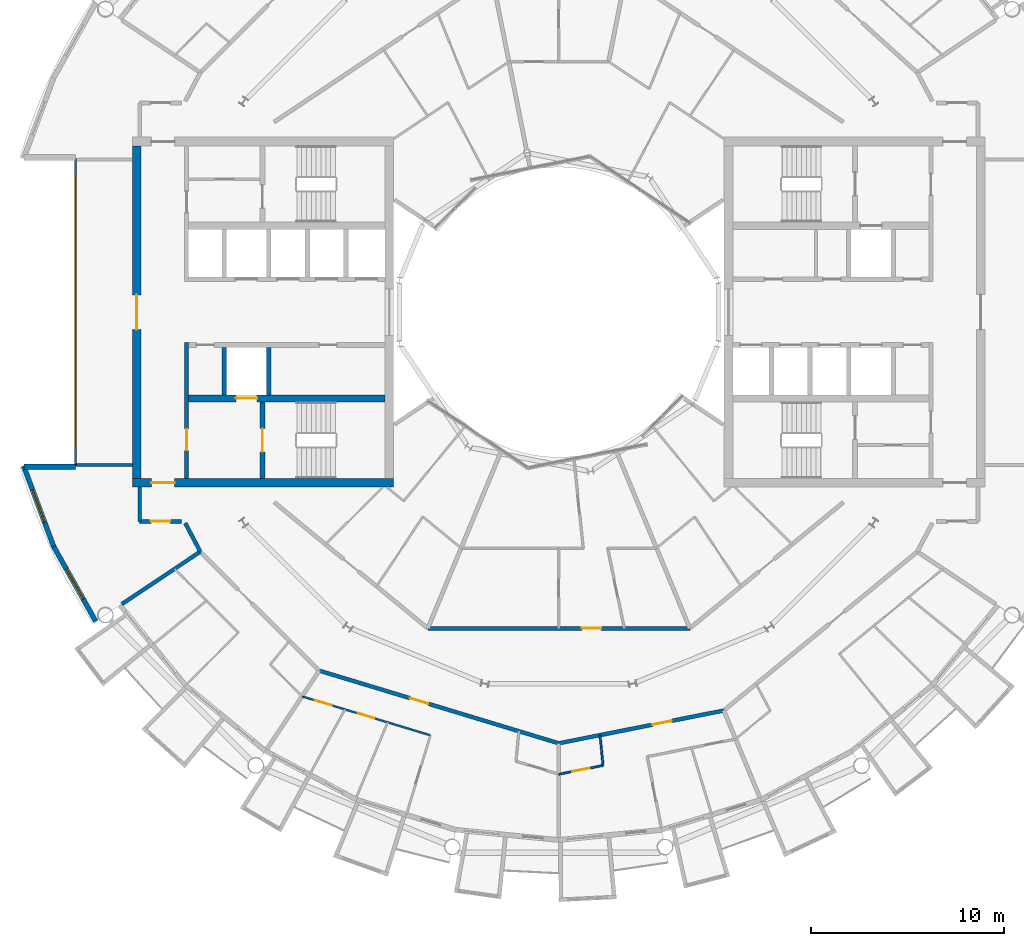
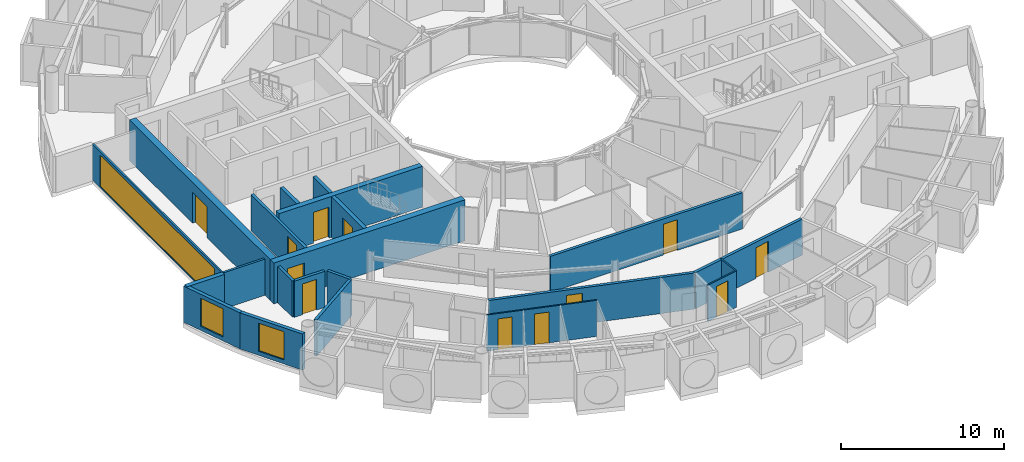
# One storey, part 16 of 27: 22 walls, 12 doors, 3 windows, 15 openings.
"""IFC4 building model written with IfcOpenShell, lengths in metres."""

from ifc_helpers import new_model, si_unit, direction, frame, frame_2d, origin, place, context, subcontext, project, spatial, rectangle, extrude, material, layer, layer_set, type_object, element, fill, save


model = new_model("IFC4")

# Units and contexts
model_context = context("Model", 3, precision=1e-05, world=origin(), true_north=direction((0.0, 1.0)))
body_context = subcontext(model_context, "Body", "Model", "MODEL_VIEW")
ifc_project = project(units=[si_unit("LENGTHUNIT", "METRE"), si_unit("AREAUNIT", "SQUARE_METRE"), si_unit("VOLUMEUNIT", "CUBIC_METRE"), si_unit("PLANEANGLEUNIT", "RADIAN"), si_unit("MASSUNIT", "GRAM", prefix="KILO")], contexts=[model_context])

# Site, building, storey
site_placement = place(None, origin())
site = spatial("IfcSite", under=ifc_project, at=site_placement, CompositionType="ELEMENT")
building_placement = place(site_placement, origin())
building = spatial("IfcBuilding", under=site, at=building_placement, Name="Maasbend Ring Residences", CompositionType="ELEMENT")
storey_placement = place(building_placement, frame((0.0, 0.0, 199.35009765625)))
storey = spatial("IfcBuildingStorey", under=building, at=storey_placement, Name="L57", CompositionType="ELEMENT", Elevation=199.35009765625)

# Wall, opening, door
ifc_material_1 = material(Name="Concrete C50/60", Category="concrete")
ifc_layer_1 = layer(ifc_material_1, 0.25)
ifc_layer_set_1 = layer_set([ifc_layer_1], Name="Concrete C50/60")
wall_type_1 = type_object("IfcWallType", Name="CORE WALL 250 C50/60", PredefinedType="SHEAR", material=ifc_layer_set_1)
wall_1_placement = place(storey_placement, frame((-15.324951171875, -4.64990234375, 0.0), z_axis=(0.0, 0.0, 1.0), x_axis=(0.0, -1.0, 0.0)))
wall_1 = element("IfcWall", 1, at=wall_1_placement, inside=storey, type_object=wall_type_1, Name="L57 core W wall STEN", PredefinedType="SHEAR", context=body_context, shape_type="SweptSolid", body=[
    extrude(rectangle(XDim=3.9501953125, YDim=0.25, at=frame_2d((1.97509765625, 0.0))), origin(), (0.0, 0.0, 1.0), 3.0498046875),
])
opening_1_placement = place(wall_1_placement, frame((1.375, 0.0, 0.0)))
opening_1 = element("IfcOpeningElement", 2, at=opening_1_placement, cuts=wall_1, Name="Opening D-W5709", PredefinedType="OPENING", context=body_context, shape_type="SweptSolid", body=[
    extrude(rectangle(XDim=1.199951171875, YDim=2.300048828125, at=frame_2d((0.60009765625, 1.14990234375))), frame((0.0, 0.135009765625, 0.0), z_axis=(0.0, -1.0, 0.0), x_axis=(1.0, 0.0, 0.0)), (0.0, 0.0, 1.0), 0.27001953125),
])
ifc_material_2 = material(Name="Steel, powder coated", Category="steel")
door_type_1 = type_object("IfcDoorType", Name="STAIR DOOR 1200 X 2300 FD60", OperationType="NOTDEFINED", PredefinedType="DOOR", material=ifc_material_2)
door_1_placement = place(opening_1_placement, origin())
door_1 = element("IfcDoor", 3, at=door_1_placement, inside=storey, type_object=door_type_1, Name="Stair door ST-W L57", OperationType="SINGLE_SWING_LEFT", OverallHeight=2.300048828125, OverallWidth=1.199951171875, PredefinedType="DOOR", context=body_context, shape_type="SweptSolid", body=[
    extrude(rectangle(XDim=1.199951171875, YDim=2.300048828125, at=frame_2d((0.60009765625, 1.14990234375))), frame((0.0, 0.02490234375, 0.0), z_axis=(0.0, -1.0, 0.0), x_axis=(1.0, 0.0, 0.0)), (0.0, 0.0, 1.0), 0.050048828125),
])
fill(opening_1, door_1)

ifc_material_3 = material(Name="Concrete C50/60", Category="concrete")
ifc_layer_2 = layer(ifc_material_3, 0.375)
ifc_layer_set_2 = layer_set([ifc_layer_2], Name="Concrete C50/60")
wall_type_2 = type_object("IfcWallType", Name="CORE WALL 375 C50/60", PredefinedType="SHEAR", material=ifc_layer_set_2)
wall_2_placement = place(storey_placement, frame((-9.0, -4.46240234375, 0.0), z_axis=(0.0, 0.0, 1.0), x_axis=(-1.0, 0.0, 0.0)))
wall_2 = element("IfcWall", 4, at=wall_2_placement, inside=storey, type_object=wall_type_2, Name="L57 core W wall BN", PredefinedType="SHEAR", context=body_context, shape_type="SweptSolid", body=[
    extrude(rectangle(XDim=10.14990234375, YDim=0.375, at=frame_2d((5.074951171875, 0.0))), origin(), (0.0, 0.0, 1.0), 3.0498046875),
])
opening_2_placement = place(wall_2_placement, frame((6.60009765625, 0.0, 0.0)))
opening_2 = element("IfcOpeningElement", 5, at=opening_2_placement, cuts=wall_2, Name="Opening LD-W5701", PredefinedType="OPENING", context=body_context, shape_type="SweptSolid", body=[
    extrude(rectangle(XDim=1.10009765625, YDim=2.300048828125, at=frame_2d((0.550048828125, 1.14990234375))), frame((0.0, 0.197509765625, 0.0), z_axis=(0.0, -1.0, 0.0), x_axis=(1.0, 0.0, 0.0)), (0.0, 0.0, 1.0), 0.39501953125),
])
ifc_material_4 = material(Name="Stainless steel 316", Category="steel")
door_type_2 = type_object("IfcDoorType", Name="LANDING DOOR 1100 X 2300 FD60", OperationType="DOUBLE_DOOR_SLIDING", PredefinedType="DOOR", material=ifc_material_4)
door_2_placement = place(opening_2_placement, origin())
door_2 = element("IfcDoor", 6, at=door_2_placement, inside=storey, type_object=door_type_2, Name="Landing door FF-W L57", OperationType="DOUBLE_DOOR_SLIDING", OverallHeight=2.300048828125, OverallWidth=1.10009765625, PredefinedType="DOOR", context=body_context, shape_type="SweptSolid", body=[
    extrude(rectangle(XDim=1.10009765625, YDim=2.300048828125, at=frame_2d((0.550048828125, 1.14990234375))), frame((0.0, 0.02490234375, 0.0), z_axis=(0.0, -1.0, 0.0), x_axis=(1.0, 0.0, 0.0)), (0.0, 0.0, 1.0), 0.050048828125),
])
fill(opening_2, door_2)

ifc_material_5 = material(Name="Concrete C50/60", Category="concrete")
ifc_layer_3 = layer(ifc_material_5, 0.449951171875)
ifc_layer_set_3 = layer_set([ifc_layer_3], Name="Concrete C50/60")
wall_type_3 = type_object("IfcWallType", Name="CORE WALL 450 C50/60", PredefinedType="SHEAR", material=ifc_layer_set_3)
wall_3_placement = place(storey_placement, frame((-22.050048828125, -8.824951171875, 0.0), z_axis=(0.0, 0.0, 1.0), x_axis=(1.0, 0.0, 0.0)))
wall_3 = element("IfcWall", 7, at=wall_3_placement, inside=storey, type_object=wall_type_3, Name="L57 core W wall PN", PredefinedType="SHEAR", context=body_context, shape_type="SweptSolid", body=[
    extrude(rectangle(XDim=13.5, YDim=0.449951171875, at=frame_2d((6.75, 0.0))), origin(), (0.0, 0.0, 1.0), 3.0498046875),
])
opening_3_placement = place(wall_3_placement, frame((0.97509765625, 0.0, 0.0)))
opening_3 = element("IfcOpeningElement", 8, at=opening_3_placement, cuts=wall_3, Name="Opening D-W5713", PredefinedType="OPENING", context=body_context, shape_type="SweptSolid", body=[
    extrude(rectangle(XDim=1.199951171875, YDim=2.300048828125, at=frame_2d((0.60009765625, 1.14990234375))), frame((0.0, 0.23486328125, 0.0), z_axis=(0.0, -1.0, 0.0), x_axis=(1.0, 0.0, 0.0)), (0.0, 0.0, 1.0), 0.469970703125),
])
ifc_material_6 = material(Name="Steel, powder coated", Category="steel")
door_type_3 = type_object("IfcDoorType", Name="CORRIDOR DOOR 1200 X 2300 FD30S", OperationType="NOTDEFINED", PredefinedType="DOOR", material=ifc_material_6)
door_3_placement = place(opening_3_placement, origin())
door_3 = element("IfcDoor", 9, at=door_3_placement, inside=storey, type_object=door_type_3, Name="Corridor door L57", OperationType="SINGLE_SWING_RIGHT", OverallHeight=2.300048828125, OverallWidth=1.199951171875, PredefinedType="DOOR", context=body_context, shape_type="SweptSolid", body=[
    extrude(rectangle(XDim=1.199951171875, YDim=2.300048828125, at=frame_2d((0.60009765625, 1.14990234375))), frame((0.0, 0.02490234375, 0.0), z_axis=(0.0, -1.0, 0.0), x_axis=(1.0, 0.0, 0.0)), (0.0, 0.0, 1.0), 0.050048828125),
])
fill(opening_3, door_3)

wall_4_placement = place(storey_placement, frame((-21.824951171875, -8.60009765625, 0.0), z_axis=(0.0, 0.0, 1.0), x_axis=(0.0, 1.0, 0.0)))
wall_4 = element("IfcWall", 10, at=wall_4_placement, inside=storey, type_object=wall_type_3, Name="L57 core W wall POUT", PredefinedType="SHEAR", context=body_context, shape_type="SweptSolid", body=[
    extrude(rectangle(XDim=17.2001953125, YDim=0.449951171875, at=frame_2d((8.60009765625, 0.0))), origin(), (0.0, 0.0, 1.0), 3.0498046875),
])
opening_4_placement = place(wall_4_placement, frame((7.699951171875, 0.0, 0.0)))
opening_4 = element("IfcOpeningElement", 11, at=opening_4_placement, cuts=wall_4, Name="Opening D-W5715", PredefinedType="OPENING", context=body_context, shape_type="SweptSolid", body=[
    extrude(rectangle(XDim=1.800048828125, YDim=2.300048828125, at=frame_2d((0.89990234375, 1.14990234375))), frame((0.0, 0.23486328125, 0.0), z_axis=(0.0, -1.0, 0.0), x_axis=(1.0, 0.0, 0.0)), (0.0, 0.0, 1.0), 0.469970703125),
])
ifc_material_7 = material(Name="Aluminium frame, clear glass", Category="aluminium")
door_type_4 = type_object("IfcDoorType", Name="ENTRANCE DOOR 1800 X 2300 FD60", OperationType="NOTDEFINED", PredefinedType="DOOR", material=ifc_material_7)
door_4_placement = place(opening_4_placement, origin())
door_4 = element("IfcDoor", 12, at=door_4_placement, inside=storey, type_object=door_type_4, Name="Lobby glazed door L57", OperationType="SINGLE_SWING_LEFT", OverallHeight=2.300048828125, OverallWidth=1.800048828125, PredefinedType="DOOR", context=body_context, shape_type="SweptSolid", body=[
    extrude(rectangle(XDim=1.800048828125, YDim=2.300048828125, at=frame_2d((0.89990234375, 1.14990234375))), frame((0.0, 0.02490234375, 0.0), z_axis=(0.0, -1.0, 0.0), x_axis=(1.0, 0.0, 0.0)), (0.0, 0.0, 1.0), 0.050048828125),
])
fill(opening_4, door_4)

# Wall
ifc_material_8 = material(Name="Concrete C30/37", Category="concrete")
ifc_layer_4 = layer(ifc_material_8, 0.199951171875)
ifc_layer_set_4 = layer_set([ifc_layer_4], Name="Concrete C30/37")
wall_type_4 = type_object("IfcWallType", Name="CORRIDOR WALL 200 CONCRETE", PredefinedType="PARTITIONING", material=ifc_layer_set_4)
wall_5_placement = place(storey_placement, frame((-19.31689453125, -10.9150390625, 0.0), z_axis=(0.0, 0.0, 1.0), x_axis=(0.465359652486, -0.885121683068, 0.0)))
element("IfcWall", 13, at=wall_5_placement, inside=storey, type_object=wall_type_4, Name="U-L57-w009", PredefinedType="PARTITIONING", context=body_context, shape_type="SweptSolid", body=[
    extrude(rectangle(XDim=1.665283203125, YDim=0.199951171875, at=frame_2d((0.83251953125, 0.0))), origin(), (0.0, 0.0, 1.0), 2.699951171875),
])

# Wall, opening, door
wall_6_placement = place(storey_placement, frame((0.0, -22.300048828125, 0.0), z_axis=(0.0, 0.0, 1.0), x_axis=(0.980813117615, 0.194950322682, 0.0)))
wall_6 = element("IfcWall", 14, at=wall_6_placement, inside=storey, type_object=wall_type_4, Name="U-L57-w012", PredefinedType="PARTITIONING", context=body_context, shape_type="SweptSolid", body=[
    extrude(rectangle(XDim=8.699951171875, YDim=0.199951171875, at=frame_2d((4.35009765625, 0.0))), origin(), (0.0, 0.0, 1.0), 2.699951171875),
])
opening_5_placement = place(wall_6_placement, frame((4.93798828125, 0.0, 0.0)))
opening_5 = element("IfcOpeningElement", 15, at=opening_5_placement, cuts=wall_6, Name="Opening D-5740", PredefinedType="OPENING", context=body_context, shape_type="SweptSolid", body=[
    extrude(rectangle(XDim=1.0, YDim=2.300048828125, at=frame_2d((0.5, 1.14990234375))), frame((0.0, 0.10986328125, 0.0), z_axis=(0.0, -1.0, 0.0), x_axis=(1.0, 0.0, 0.0)), (0.0, 0.0, 1.0), 0.219970703125),
])
ifc_material_9 = material(Name="Timber, fire-rated, painted", Category="wood")
door_type_5 = type_object("IfcDoorType", Name="FLAT ENTRANCE DOOR 1000 X 2300 FIRE-RATED", OperationType="NOTDEFINED", PredefinedType="DOOR", material=ifc_material_9)
door_5_placement = place(opening_5_placement, origin())
door_5 = element("IfcDoor", 16, at=door_5_placement, inside=storey, type_object=door_type_5, Name="D-5740", OperationType="SINGLE_SWING_RIGHT", OverallHeight=2.300048828125, OverallWidth=1.0, PredefinedType="DOOR", context=body_context, shape_type="SweptSolid", body=[
    extrude(rectangle(XDim=1.0, YDim=2.300048828125, at=frame_2d((0.5, 1.14990234375))), frame((0.0, 0.02490234375, 0.0), z_axis=(0.0, -1.0, 0.0), x_axis=(1.0, 0.0, 0.0)), (0.0, 0.0, 1.0), 0.050048828125),
])
fill(opening_5, door_5)

wall_7_placement = place(storey_placement, frame((-12.388916015625, -18.5419921875, 0.0), z_axis=(0.0, 0.0, 1.0), x_axis=(0.956942051091, -0.290279022415, 0.0)))
wall_7 = element("IfcWall", 17, at=wall_7_placement, inside=storey, type_object=wall_type_4, Name="U-L57-w015", PredefinedType="PARTITIONING", context=body_context, shape_type="SweptSolid", body=[
    extrude(rectangle(XDim=12.9462890625, YDim=0.199951171875, at=frame_2d((6.47314453125, 0.0))), origin(), (0.0, 0.0, 1.0), 2.699951171875),
])
opening_6_placement = place(wall_7_placement, frame((4.89501953125, 0.0, 0.0)))
opening_6 = element("IfcOpeningElement", 18, at=opening_6_placement, cuts=wall_7, Name="Opening D-5735", PredefinedType="OPENING", context=body_context, shape_type="SweptSolid", body=[
    extrude(rectangle(XDim=1.0, YDim=2.300048828125, at=frame_2d((0.5, 1.14990234375))), frame((0.0, 0.10986328125, 0.0), z_axis=(0.0, -1.0, 0.0), x_axis=(1.0, 0.0, 0.0)), (0.0, 0.0, 1.0), 0.219970703125),
])
door_6_placement = place(opening_6_placement, origin())
door_6 = element("IfcDoor", 19, at=door_6_placement, inside=storey, type_object=door_type_5, Name="D-5735", OperationType="SINGLE_SWING_LEFT", OverallHeight=2.300048828125, OverallWidth=1.0, PredefinedType="DOOR", context=body_context, shape_type="SweptSolid", body=[
    extrude(rectangle(XDim=1.0, YDim=2.300048828125, at=frame_2d((0.5, 1.14990234375))), frame((0.0, 0.02490234375, 0.0), z_axis=(0.0, -1.0, 0.0), x_axis=(1.0, 0.0, 0.0)), (0.0, 0.0, 1.0), 0.050048828125),
])
fill(opening_6, door_6)

wall_8_placement = place(storey_placement, frame((-6.77294921875, -16.35302734375, 0.0), z_axis=(0.0, 0.0, 1.0), x_axis=(1.0, 0.0, 0.0)))
wall_8 = element("IfcWall", 20, at=wall_8_placement, inside=storey, type_object=wall_type_4, Name="U-L57-w019", PredefinedType="PARTITIONING", context=body_context, shape_type="SweptSolid", body=[
    extrude(rectangle(XDim=13.5458984375, YDim=0.199951171875, at=frame_2d((6.77294921875, 0.0))), origin(), (0.0, 0.0, 1.0), 2.699951171875),
])
opening_7_placement = place(wall_8_placement, frame((7.966064453125, 0.0, 0.0)))
opening_7 = element("IfcOpeningElement", 21, at=opening_7_placement, cuts=wall_8, Name="Opening D-5753", PredefinedType="OPENING", context=body_context, shape_type="SweptSolid", body=[
    extrude(rectangle(XDim=1.0, YDim=2.300048828125, at=frame_2d((0.5, 1.14990234375))), frame((0.0, 0.10986328125, 0.0), z_axis=(0.0, -1.0, 0.0), x_axis=(1.0, 0.0, 0.0)), (0.0, 0.0, 1.0), 0.219970703125),
])
door_7_placement = place(opening_7_placement, origin())
door_7 = element("IfcDoor", 22, at=door_7_placement, inside=storey, type_object=door_type_5, Name="D-5753", OperationType="SINGLE_SWING_RIGHT", OverallHeight=2.300048828125, OverallWidth=1.0, PredefinedType="DOOR", context=body_context, shape_type="SweptSolid", body=[
    extrude(rectangle(XDim=1.0, YDim=2.300048828125, at=frame_2d((0.5, 1.14990234375))), frame((0.0, 0.02490234375, 0.0), z_axis=(0.0, -1.0, 0.0), x_axis=(1.0, 0.0, 0.0)), (0.0, 0.0, 1.0), 0.050048828125),
])
fill(opening_7, door_7)

wall_9_placement = place(storey_placement, frame((-21.675048828125, -10.824951171875, 0.0), z_axis=(0.0, 0.0, 1.0), x_axis=(1.0, 0.0, 0.0)))
wall_9 = element("IfcWall", 23, at=wall_9_placement, inside=storey, type_object=wall_type_4, Name="U-L57-w026", PredefinedType="PARTITIONING", context=body_context, shape_type="SweptSolid", body=[
    extrude(rectangle(XDim=2.152099609375, YDim=0.199951171875, at=frame_2d((1.076171875, 0.0))), origin(), (0.0, 0.0, 1.0), 2.699951171875),
])
opening_8_placement = place(wall_9_placement, frame((0.575927734375, 0.0, 0.0)))
opening_8 = element("IfcOpeningElement", 24, at=opening_8_placement, cuts=wall_9, Name="Opening D-5761", PredefinedType="OPENING", context=body_context, shape_type="SweptSolid", body=[
    extrude(rectangle(XDim=1.0, YDim=2.300048828125, at=frame_2d((0.5, 1.14990234375))), frame((0.0, 0.10986328125, 0.0), z_axis=(0.0, -1.0, 0.0), x_axis=(1.0, 0.0, 0.0)), (0.0, 0.0, 1.0), 0.219970703125),
])
ifc_material_10 = material(Name="Timber, painted", Category="wood")
door_type_6 = type_object("IfcDoorType", Name="ROOM DOOR 1000 X 2300", OperationType="NOTDEFINED", PredefinedType="DOOR", material=ifc_material_10)
door_8_placement = place(opening_8_placement, origin())
door_8 = element("IfcDoor", 25, at=door_8_placement, inside=storey, type_object=door_type_6, Name="D-5761", OperationType="SINGLE_SWING_LEFT", OverallHeight=2.300048828125, OverallWidth=1.0, PredefinedType="DOOR", context=body_context, shape_type="SweptSolid", body=[
    extrude(rectangle(XDim=1.0, YDim=2.300048828125, at=frame_2d((0.5, 1.14990234375))), frame((0.0, 0.02490234375, 0.0), z_axis=(0.0, -1.0, 0.0), x_axis=(1.0, 0.0, 0.0)), (0.0, 0.0, 1.0), 0.050048828125),
])
fill(opening_8, door_8)

# Wall
wall_10_placement = place(storey_placement, frame((-21.675048828125, -10.824951171875, 0.0), z_axis=(0.0, 0.0, 1.0), x_axis=(0.0, 1.0, 0.0)))
element("IfcWall", 26, at=wall_10_placement, inside=storey, type_object=wall_type_4, Name="U-L57-w105", PredefinedType="PARTITIONING", context=body_context, shape_type="SweptSolid", body=[
    extrude(rectangle(XDim=1.77490234375, YDim=0.199951171875, at=frame_2d((0.887451171875, 0.0))), origin(), (0.0, 0.0, 1.0), 2.699951171875),
])

# Wall, opening, window
ifc_material_11 = material(Name="Aluminium clad insulated panel", Category="aluminium")
ifc_layer_5 = layer(ifc_material_11, 0.25)
ifc_layer_set_5 = layer_set([ifc_layer_5], Name="EW-HORN")
wall_type_5 = type_object("IfcWallType", Name="EW-HORN", PredefinedType="SOLIDWALL", material=ifc_layer_set_5)
wall_11_placement = place(storey_placement, frame((-27.681884765625, -7.945068359375, 0.0), z_axis=(0.0, 0.0, 1.0), x_axis=(0.349247811493, -0.937030397675, 0.0)))
wall_11 = element("IfcWall", 27, at=wall_11_placement, inside=storey, type_object=wall_type_5, Name="Horn wall 3.1", PredefinedType="SOLIDWALL", context=body_context, shape_type="SweptSolid", body=[
    extrude(rectangle(XDim=4.4521484375, YDim=0.25, at=frame_2d((2.22607421875, 0.0))), origin(), (0.0, 0.0, 1.0), 2.699951171875),
])
opening_9_placement = place(wall_11_placement, frame((1.32666015625, 0.0, 0.300048828125)))
opening_9 = element("IfcOpeningElement", 28, at=opening_9_placement, cuts=wall_11, Name="Opening W-BX", PredefinedType="OPENING", context=body_context, shape_type="SweptSolid", body=[
    extrude(rectangle(XDim=1.800048828125, YDim=2.10009765625, at=frame_2d((0.89990234375, 1.050048828125))), frame((0.0, 0.135009765625, 0.0), z_axis=(0.0, -1.0, 0.0), x_axis=(1.0, 0.0, 0.0)), (0.0, 0.0, 1.0), 0.27001953125),
])
ifc_material_12 = material(Name="Aluminium and clear glass", Category="aluminium")
window_type_1 = type_object("IfcWindowType", Name="W-BX", PartitioningType="DOUBLE_PANEL_VERTICAL", PredefinedType="WINDOW", material=ifc_material_12)
window_1_placement = place(opening_9_placement, origin())
window_1 = element("IfcWindow", 29, at=window_1_placement, inside=storey, type_object=window_type_1, Name="Horn window 3.1", OverallHeight=2.10009765625, OverallWidth=1.800048828125, PartitioningType="SINGLE_PANEL", PredefinedType="WINDOW", context=body_context, shape_type="SweptSolid", body=[
    extrude(rectangle(XDim=1.800048828125, YDim=2.10009765625, at=frame_2d((0.89990234375, 1.050048828125))), frame((0.0, 0.030029296875, 0.0), z_axis=(0.0, -1.0, 0.0), x_axis=(1.0, 0.0, 0.0)), (0.0, 0.0, 1.0), 0.06005859375),
])
fill(opening_9, window_1)

wall_12_placement = place(storey_placement, frame((-26.126953125, -12.116943359375, 0.0), z_axis=(0.0, 0.0, 1.0), x_axis=(0.489696356642, -0.871893042919, 0.0)))
wall_12 = element("IfcWall", 30, at=wall_12_placement, inside=storey, type_object=wall_type_5, Name="Horn wall 3.2", PredefinedType="SOLIDWALL", context=body_context, shape_type="SweptSolid", body=[
    extrude(rectangle(XDim=4.45361328125, YDim=0.25, at=frame_2d((2.226806640625, 0.0))), origin(), (0.0, 0.0, 1.0), 2.699951171875),
])
opening_10_placement = place(wall_12_placement, frame((1.32666015625, 0.0, 0.300048828125)))
opening_10 = element("IfcOpeningElement", 31, at=opening_10_placement, cuts=wall_12, Name="Opening W-BX", PredefinedType="OPENING", context=body_context, shape_type="SweptSolid", body=[
    extrude(rectangle(XDim=1.800048828125, YDim=2.10009765625, at=frame_2d((0.89990234375, 1.050048828125))), frame((0.0, 0.135009765625, 0.0), z_axis=(0.0, -1.0, 0.0), x_axis=(1.0, 0.0, 0.0)), (0.0, 0.0, 1.0), 0.27001953125),
])
window_2_placement = place(opening_10_placement, origin())
window_2 = element("IfcWindow", 32, at=window_2_placement, inside=storey, type_object=window_type_1, Name="Horn window 3.2", OverallHeight=2.10009765625, OverallWidth=1.800048828125, PartitioningType="SINGLE_PANEL", PredefinedType="WINDOW", context=body_context, shape_type="SweptSolid", body=[
    extrude(rectangle(XDim=1.800048828125, YDim=2.10009765625, at=frame_2d((0.89990234375, 1.050048828125))), frame((0.0, 0.030029296875, 0.0), z_axis=(0.0, -1.0, 0.0), x_axis=(1.0, 0.0, 0.0)), (0.0, 0.0, 1.0), 0.06005859375),
])
fill(opening_10, window_2)

# Wall
ifc_material_13 = material(Name="Aluminium clad insulated panel", Category="aluminium")
ifc_layer_6 = layer(ifc_material_13, 0.300048828125)
ifc_layer_set_6 = layer_set([ifc_layer_6], Name="EW-RET")
wall_type_6 = type_object("IfcWallType", Name="EW-RET", PredefinedType="SOLIDWALL", material=ifc_layer_set_6)
wall_13_placement = place(storey_placement, frame((-25.0, -8.0, 0.0), z_axis=(0.0, 0.0, 1.0), x_axis=(-1.0, 0.0, 0.0)))
element("IfcWall", 33, at=wall_13_placement, inside=storey, type_object=wall_type_6, Name="Notch return wall west south", PredefinedType="SOLIDWALL", context=body_context, shape_type="SweptSolid", body=[
    extrude(rectangle(XDim=2.6669921875, YDim=0.300048828125, at=frame_2d((1.33349609375, 0.0))), origin(), (0.0, 0.0, 1.0), 2.699951171875),
])

# Wall, opening, window
ifc_material_14 = material(Name="Aluminium frame and clear glass", Category="aluminium")
ifc_layer_7 = layer(ifc_material_14, 0.1201171875)
ifc_layer_set_7 = layer_set([ifc_layer_7], Name="GLAZED SCREEN WALL 120 EI 60")
wall_type_7 = type_object("IfcWallType", Name="GLAZED SCREEN WALL 120 EI 60", PredefinedType="PARTITIONING", material=ifc_layer_set_7)
wall_14_placement = place(storey_placement, frame((-25.0, 7.949951171875, 0.0), z_axis=(0.0, 0.0, 1.0), x_axis=(0.0, -1.0, 0.0)))
wall_14 = element("IfcWall", 34, at=wall_14_placement, inside=storey, type_object=wall_type_7, Name="L57 core W wall FACE", PredefinedType="PARTITIONING", context=body_context, shape_type="SweptSolid", body=[
    extrude(rectangle(XDim=15.89990234375, YDim=0.1201171875, at=frame_2d((7.949951171875, 0.0))), origin(), (0.0, 0.0, 1.0), 2.699951171875),
])
opening_11_placement = place(wall_14_placement, frame((0.949951171875, 0.0, 0.10009765625)))
opening_11 = element("IfcOpeningElement", 35, at=opening_11_placement, cuts=wall_14, Name="Opening W-W5702", PredefinedType="OPENING", context=body_context, shape_type="SweptSolid", body=[
    extrude(rectangle(XDim=14.0, YDim=2.35009765625, at=frame_2d((7.0, 1.175048828125))), frame((0.0, 0.070068359375, 0.0), z_axis=(0.0, -1.0, 0.0), x_axis=(1.0, 0.0, 0.0)), (0.0, 0.0, 1.0), 0.14013671875),
])
ifc_material_15 = material(Name="Aluminium frame and clear glass", Category="aluminium")
window_type_2 = type_object("IfcWindowType", Name="FIXED WINDOW 14000 X 2350", PartitioningType="SINGLE_PANEL", PredefinedType="WINDOW", material=ifc_material_15)
window_3_placement = place(opening_11_placement, origin())
window_3 = element("IfcWindow", 36, at=window_3_placement, inside=storey, type_object=window_type_2, Name="Lobby window L57", OverallHeight=2.35009765625, OverallWidth=14.0, PartitioningType="SINGLE_PANEL", PredefinedType="WINDOW", context=body_context, shape_type="SweptSolid", body=[
    extrude(rectangle(XDim=14.0, YDim=2.35009765625, at=frame_2d((7.0, 1.175048828125))), frame((0.0, 0.030029296875, 0.0), z_axis=(0.0, -1.0, 0.0), x_axis=(1.0, 0.0, 0.0)), (0.0, 0.0, 1.0), 0.06005859375),
])
fill(opening_11, window_3)

# Wall, opening, door
ifc_material_16 = material(Name="Gypsum board on steel studs", Category="steel")
ifc_layer_8 = layer(ifc_material_16, 0.10009765625)
ifc_layer_set_8 = layer_set([ifc_layer_8], Name="PARTITION 100 GYPSUM")
wall_type_8 = type_object("IfcWallType", Name="PARTITION 100 GYPSUM", PredefinedType="PARTITIONING", material=ifc_layer_set_8)
wall_15_placement = place(storey_placement, frame((0.0, -23.89990234375, 0.0), z_axis=(0.0, 0.0, 1.0), x_axis=(0.98079351414, 0.19504892366, 0.0)))
wall_15 = element("IfcWall", 37, at=wall_15_placement, inside=storey, type_object=wall_type_8, Name="U-L57-w003", PredefinedType="PARTITIONING", context=body_context, shape_type="SweptSolid", body=[
    extrude(rectangle(XDim=2.331787109375, YDim=0.10009765625, at=frame_2d((1.166015625, 0.0))), origin(), (0.0, 0.0, 1.0), 2.699951171875),
])
opening_12_placement = place(wall_15_placement, frame((0.716064453125, 0.0, 0.0)))
opening_12 = element("IfcOpeningElement", 38, at=opening_12_placement, cuts=wall_15, Name="Opening D-5741", PredefinedType="OPENING", context=body_context, shape_type="SweptSolid", body=[
    extrude(rectangle(XDim=0.89990234375, YDim=2.300048828125, at=frame_2d((0.449951171875, 1.14990234375))), frame((0.0, 0.06005859375, 0.0), z_axis=(0.0, -1.0, 0.0), x_axis=(1.0, 0.0, 0.0)), (0.0, 0.0, 1.0), 0.1201171875),
])
ifc_material_17 = material(Name="Timber, painted", Category="wood")
door_type_7 = type_object("IfcDoorType", Name="INTERNAL DOOR 900 X 2300", OperationType="NOTDEFINED", PredefinedType="DOOR", material=ifc_material_17)
door_9_placement = place(opening_12_placement, origin())
door_9 = element("IfcDoor", 39, at=door_9_placement, inside=storey, type_object=door_type_7, Name="D-5741", OperationType="SINGLE_SWING_LEFT", OverallHeight=2.300048828125, OverallWidth=0.89990234375, PredefinedType="DOOR", context=body_context, shape_type="SweptSolid", body=[
    extrude(rectangle(XDim=0.89990234375, YDim=2.300048828125, at=frame_2d((0.449951171875, 1.14990234375))), frame((0.0, 0.02490234375, 0.0), z_axis=(0.0, -1.0, 0.0), x_axis=(1.0, 0.0, 0.0)), (0.0, 0.0, 1.0), 0.050048828125),
])
fill(opening_12, door_9)

# Wall, openings, doors
wall_16_placement = place(storey_placement, frame((-13.279052734375, -19.8740234375, 0.0), z_axis=(0.0, 0.0, 1.0), x_axis=(0.956989789119, -0.290121601266, 0.0)))
wall_16 = element("IfcWall", 40, at=wall_16_placement, inside=storey, type_object=wall_type_8, Name="U-L57-w005", PredefinedType="PARTITIONING", context=body_context, shape_type="SweptSolid", body=[
    extrude(rectangle(XDim=6.941650390625, YDim=0.10009765625, at=frame_2d((3.470703125, 0.0))), origin(), (0.0, 0.0, 1.0), 2.699951171875),
])
opening_13_placement = place(wall_16_placement, frame((3.02197265625, 0.0, 0.0)))
opening_13 = element("IfcOpeningElement", 41, at=opening_13_placement, cuts=wall_16, Name="Opening D-5738", PredefinedType="OPENING", context=body_context, shape_type="SweptSolid", body=[
    extrude(rectangle(XDim=0.89990234375, YDim=2.300048828125, at=frame_2d((0.449951171875, 1.14990234375))), frame((0.0, 0.06005859375, 0.0), z_axis=(0.0, -1.0, 0.0), x_axis=(1.0, 0.0, 0.0)), (0.0, 0.0, 1.0), 0.1201171875),
])
opening_14_placement = place(wall_16_placement, frame((0.705078125, 0.0, 0.0)))
opening_14 = element("IfcOpeningElement", 42, at=opening_14_placement, cuts=wall_16, Name="Opening D-5739", PredefinedType="OPENING", context=body_context, shape_type="SweptSolid", body=[
    extrude(rectangle(XDim=0.89990234375, YDim=2.300048828125, at=frame_2d((0.449951171875, 1.14990234375))), frame((0.0, 0.06005859375, 0.0), z_axis=(0.0, -1.0, 0.0), x_axis=(1.0, 0.0, 0.0)), (0.0, 0.0, 1.0), 0.1201171875),
])
door_10_placement = place(opening_13_placement, origin())
door_10 = element("IfcDoor", 43, at=door_10_placement, inside=storey, type_object=door_type_7, Name="D-5738", OperationType="SINGLE_SWING_RIGHT", OverallHeight=2.300048828125, OverallWidth=0.89990234375, PredefinedType="DOOR", context=body_context, shape_type="SweptSolid", body=[
    extrude(rectangle(XDim=0.89990234375, YDim=2.300048828125, at=frame_2d((0.449951171875, 1.14990234375))), frame((0.0, 0.02490234375, 0.0), z_axis=(0.0, -1.0, 0.0), x_axis=(1.0, 0.0, 0.0)), (0.0, 0.0, 1.0), 0.050048828125),
])
fill(opening_13, door_10)
door_11_placement = place(opening_14_placement, origin())
door_11 = element("IfcDoor", 44, at=door_11_placement, inside=storey, type_object=door_type_7, Name="D-5739", OperationType="SINGLE_SWING_LEFT", OverallHeight=2.300048828125, OverallWidth=0.89990234375, PredefinedType="DOOR", context=body_context, shape_type="SweptSolid", body=[
    extrude(rectangle(XDim=0.89990234375, YDim=2.300048828125, at=frame_2d((0.449951171875, 1.14990234375))), frame((0.0, 0.02490234375, 0.0), z_axis=(0.0, -1.0, 0.0), x_axis=(1.0, 0.0, 0.0)), (0.0, 0.0, 1.0), 0.050048828125),
])
fill(opening_14, door_11)

# Walls
wall_17_placement = place(storey_placement, frame((2.133056640625, -21.8759765625, 0.0), z_axis=(0.0, 0.0, 1.0), x_axis=(0.097709761212, -0.995214952944, 0.0)))
element("IfcWall", 45, at=wall_17_placement, inside=storey, type_object=wall_type_8, Name="U-L57-w032", PredefinedType="PARTITIONING", context=body_context, shape_type="SweptSolid", body=[
    extrude(rectangle(XDim=1.57666015625, YDim=0.10009765625, at=frame_2d((0.788330078125, 0.0))), origin(), (0.0, 0.0, 1.0), 2.699951171875),
])
ifc_material_18 = material(Name="Gypsum board on steel studs", Category="steel")
ifc_layer_9 = layer(ifc_material_18, 0.14990234375)
ifc_layer_set_9 = layer_set([ifc_layer_9], Name="PARTITION 150 EI 60")
wall_type_9 = type_object("IfcWallType", Name="PARTITION 150 EI 60", PredefinedType="PARTITIONING", material=ifc_layer_set_9)
wall_18_placement = place(storey_placement, frame((-22.050048828125, -7.89990234375, 0.0), z_axis=(0.0, 0.0, 1.0), x_axis=(-1.0, 0.0, 0.0)))
element("IfcWall", 46, at=wall_18_placement, inside=storey, type_object=wall_type_9, Name="L57 core W wall CITN", PredefinedType="PARTITIONING", context=body_context, shape_type="SweptSolid", body=[
    extrude(rectangle(XDim=2.889892578125, YDim=0.14990234375, at=frame_2d((1.44482421875, 0.0))), origin(), (0.0, 0.0, 1.0), 2.699951171875),
])
ifc_material_19 = material(Name="Concrete C30/37", Category="concrete")
ifc_layer_10 = layer(ifc_material_19, 0.199951171875)
ifc_layer_set_10 = layer_set([ifc_layer_10], Name="Concrete C30/37")
wall_type_10 = type_object("IfcWallType", Name="PARTY WALL 200 CONCRETE", PredefinedType="PARTITIONING", material=ifc_layer_set_10)
wall_19_placement = place(storey_placement, frame((-22.594970703125, -15.097900390625, 0.0), z_axis=(0.0, 0.0, 1.0), x_axis=(0.831387096605, 0.55569370664, 0.0)))
element("IfcWall", 47, at=wall_19_placement, inside=storey, type_object=wall_type_10, Name="U-L57-w033", PredefinedType="PARTITIONING", context=body_context, shape_type="SweptSolid", body=[
    extrude(rectangle(XDim=4.875, YDim=0.199951171875, at=frame_2d((2.4375, 0.0))), origin(), (0.0, 0.0, 1.0), 2.699951171875),
])

# Wall, opening, door
ifc_material_20 = material(Name="Concrete C30/37", Category="concrete")
ifc_layer_11 = layer(ifc_material_20, 0.199951171875)
ifc_layer_set_11 = layer_set([ifc_layer_11], Name="Concrete C30/37")
wall_type_11 = type_object("IfcWallType", Name="SHAFT WALL 200 EI 120", PredefinedType="SOLIDWALL", material=ifc_layer_set_11)
wall_20_placement = place(storey_placement, frame((-19.25, -1.574951171875, 0.0), z_axis=(0.0, 0.0, 1.0), x_axis=(0.0, -1.0, 0.0)))
wall_20 = element("IfcWall", 48, at=wall_20_placement, inside=storey, type_object=wall_type_11, Name="L57 core W wall ENDN", PredefinedType="SOLIDWALL", context=body_context, shape_type="SweptSolid", body=[
    extrude(rectangle(XDim=7.025146484375, YDim=0.199951171875, at=frame_2d((3.5126953125, 0.0))), origin(), (0.0, 0.0, 1.0), 2.699951171875),
])
opening_15_placement = place(wall_20_placement, frame((4.47509765625, 0.0, 0.0)))
opening_15 = element("IfcOpeningElement", 49, at=opening_15_placement, cuts=wall_20, Name="Opening D-W5711", PredefinedType="OPENING", context=body_context, shape_type="SweptSolid", body=[
    extrude(rectangle(XDim=1.10009765625, YDim=2.300048828125, at=frame_2d((0.550048828125, 1.14990234375))), frame((0.0, 0.10986328125, 0.0), z_axis=(0.0, -1.0, 0.0), x_axis=(1.0, 0.0, 0.0)), (0.0, 0.0, 1.0), 0.219970703125),
])
ifc_material_21 = material(Name="Steel, powder coated", Category="steel")
door_type_8 = type_object("IfcDoorType", Name="LOBBY DOOR 1100 X 2300 FD60", OperationType="NOTDEFINED", PredefinedType="DOOR", material=ifc_material_21)
door_12_placement = place(opening_15_placement, origin())
door_12 = element("IfcDoor", 50, at=door_12_placement, inside=storey, type_object=door_type_8, Name="Lobby door L57", OperationType="SINGLE_SWING_LEFT", OverallHeight=2.300048828125, OverallWidth=1.10009765625, PredefinedType="DOOR", context=body_context, shape_type="SweptSolid", body=[
    extrude(rectangle(XDim=1.10009765625, YDim=2.300048828125, at=frame_2d((0.550048828125, 1.14990234375))), frame((0.0, 0.02490234375, 0.0), z_axis=(0.0, -1.0, 0.0), x_axis=(1.0, 0.0, 0.0)), (0.0, 0.0, 1.0), 0.050048828125),
])
fill(opening_15, door_12)

# Walls
ifc_material_22 = material(Name="Concrete C30/37", Category="concrete")
ifc_layer_12 = layer(ifc_material_22, 0.25)
ifc_layer_set_12 = layer_set([ifc_layer_12], Name="Concrete C30/37")
wall_type_12 = type_object("IfcWallType", Name="SHAFT WALL 250 EI 120", PredefinedType="SOLIDWALL", material=ifc_layer_set_12)
for number, where, z_axis, x_axis, name in (
    (51, (-15.0, -1.824951171875, 0.0), (0.0, 0.0, 1.0), (0.0, -1.0, 0.0), "L57 core W wall D150N"),
    (52, (-17.300048828125, -1.824951171875, 0.0), (0.0, 0.0, 1.0), (0.0, -1.0, 0.0), "L57 core W wall D173N"),
):
    element("IfcWall", number, at=place(storey_placement, frame(where, z_axis=z_axis, x_axis=x_axis)), inside=storey, type_object=wall_type_12, Name=name, PredefinedType="SOLIDWALL", context=body_context, shape_type="SweptSolid", body=[
        extrude(rectangle(XDim=2.449951171875, YDim=0.25, at=frame_2d((1.22509765625, 0.0))), origin(), (0.0, 0.0, 1.0), 2.699951171875),
    ])

save(model, "model.ifc")
